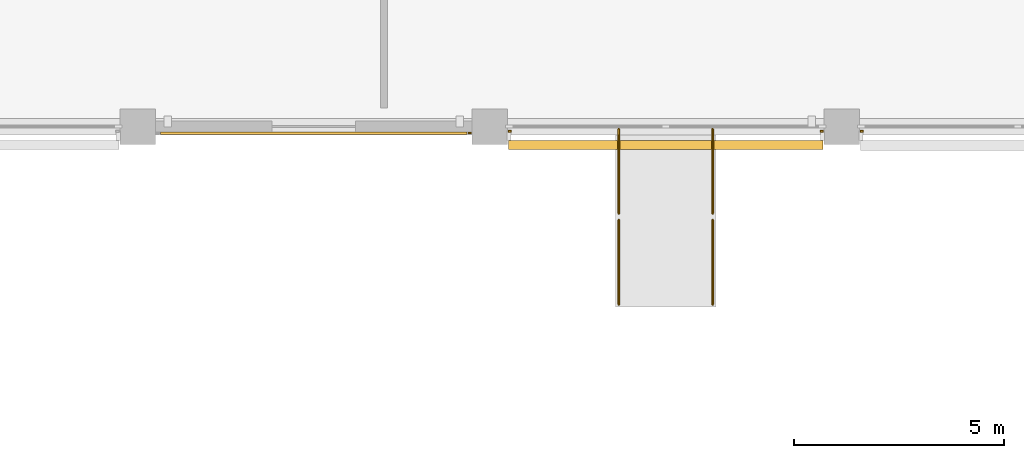
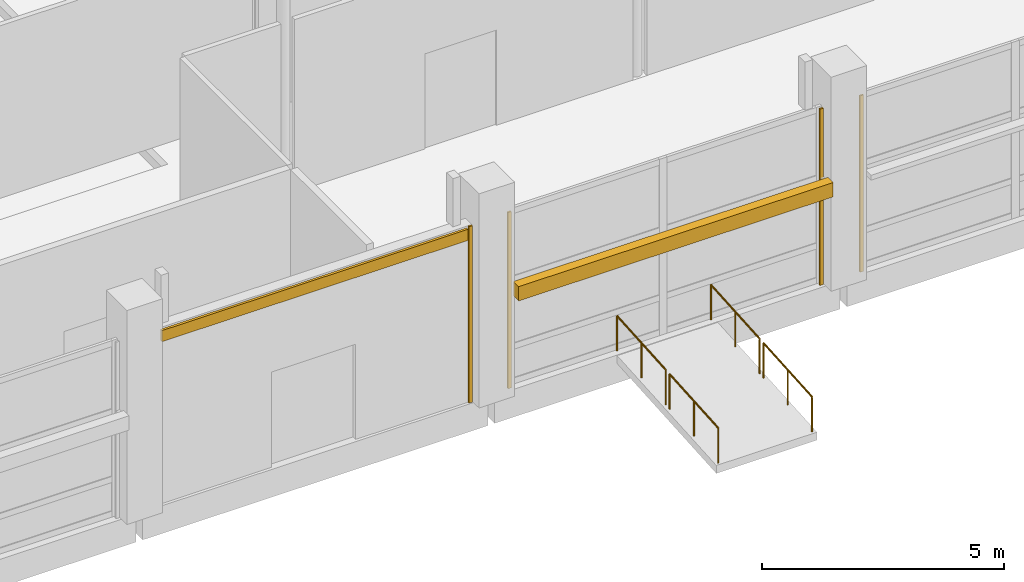
# One storey, part 134 of 140: 5 coverings, 4 railings, 1 shading device.
"""IFC4 building model written with IfcOpenShell, lengths in metres."""

from ifc_helpers import new_model, si_unit, direction, frame, origin, origin_2d, place, context, subcontext, project, spatial, rectangle, circle, extrude, material, layer, layer_set, type_object, element, save


model = new_model("IFC4")

# Units and contexts
model_context = context("Model", 3, precision=1e-05, world=origin(), true_north=direction((0.0, 1.0)))
body_context = subcontext(model_context, "Body", "Model", "MODEL_VIEW")
ifc_project = project(units=[si_unit("LENGTHUNIT", "METRE"), si_unit("AREAUNIT", "SQUARE_METRE"), si_unit("VOLUMEUNIT", "CUBIC_METRE"), si_unit("PLANEANGLEUNIT", "RADIAN"), si_unit("MASSUNIT", "GRAM", prefix="KILO")], contexts=[model_context])

# Site, building, storey
site_placement = place(None, origin())
site = spatial("IfcSite", under=ifc_project, at=site_placement, CompositionType="ELEMENT")
building_placement = place(site_placement, origin())
building = spatial("IfcBuilding", under=site, at=building_placement, Name="Telukmera Botanical Conservatory", CompositionType="ELEMENT")
storey_placement = place(building_placement, origin())
storey = spatial("IfcBuildingStorey", under=building, at=storey_placement, Name="L00", CompositionType="ELEMENT", Elevation=0.0)

# Railings
ifc_material_1 = material(Name="Brushed stainless steel grade 316", Category="steel")
railing_type = type_object("IfcRailingType", Name="Accessible Boulevard Ramp Tubular Handrail 900", PredefinedType="HANDRAIL", material=ifc_material_1)
railing_1_placement = place(storey_placement, frame((145.8798828125, 13.360107421875, -0.2958984375)))
element("IfcRailing", 1, at=railing_1_placement, inside=storey, type_object=railing_type, Name="Conservatory Boulevard Accessible Approach Ramp Handrail W-LO", PredefinedType="HANDRAIL", context=body_context, shape_type="SweptSolid", body=[
    extrude(circle(Radius=0.02099609375, at=origin_2d()), frame((0.0, 0.0, 0.87890625), z_axis=(0.0, 0.997570011495, 0.0696711717), x_axis=(-1.0, 0.0, 0.0)), (0.0, 0.0, 1.0), 2.014892578125),
    extrude(circle(Radius=0.01904296875, at=origin_2d()), origin(), (0.0, 0.0, 1.0), 0.85791015625),
    extrude(circle(Radius=0.01904296875, at=origin_2d()), frame((0.0, 1.0048828125, 0.0703125)), (0.0, 0.0, 1.0), 0.85791015625),
    extrude(circle(Radius=0.01904296875, at=origin_2d()), frame((0.0, 2.010009765625, 0.140380859375)), (0.0, 0.0, 1.0), 0.85791015625),
])
railing_2_placement = place(storey_placement, frame((145.8798828125, 15.530029296875, -0.144287109375)))
element("IfcRailing", 2, at=railing_2_placement, inside=storey, type_object=railing_type, Name="Conservatory Boulevard Accessible Approach Ramp Handrail W-HI", PredefinedType="HANDRAIL", context=body_context, shape_type="SweptSolid", body=[
    extrude(circle(Radius=0.02099609375, at=origin_2d()), frame((0.0, 0.0, 0.87890625), z_axis=(0.0, 0.997578425629, 0.069550591074), x_axis=(-1.0, 0.0, 0.0)), (0.0, 0.0, 1.0), 2.014892578125),
    extrude(circle(Radius=0.01904296875, at=origin_2d()), origin(), (0.0, 0.0, 1.0), 0.85791015625),
    extrude(circle(Radius=0.01904296875, at=origin_2d()), frame((0.0, 1.0048828125, 0.070068359375)), (0.0, 0.0, 1.0), 0.85791015625),
    extrude(circle(Radius=0.01904296875, at=origin_2d()), frame((0.0, 2.010009765625, 0.14013671875)), (0.0, 0.0, 1.0), 0.85791015625),
])
railing_3_placement = place(storey_placement, frame((148.1201171875, 13.360107421875, -0.2958984375)))
element("IfcRailing", 3, at=railing_3_placement, inside=storey, type_object=railing_type, Name="Conservatory Boulevard Accessible Approach Ramp Handrail E-LO", PredefinedType="HANDRAIL", context=body_context, shape_type="SweptSolid", body=[
    extrude(circle(Radius=0.02099609375, at=origin_2d()), frame((0.0, 0.0, 0.87890625), z_axis=(0.0, 0.997570011495, 0.0696711717), x_axis=(-1.0, 0.0, 0.0)), (0.0, 0.0, 1.0), 2.014892578125),
    extrude(circle(Radius=0.01904296875, at=origin_2d()), origin(), (0.0, 0.0, 1.0), 0.85791015625),
    extrude(circle(Radius=0.01904296875, at=origin_2d()), frame((0.0, 1.0048828125, 0.0703125)), (0.0, 0.0, 1.0), 0.85791015625),
    extrude(circle(Radius=0.01904296875, at=origin_2d()), frame((0.0, 2.010009765625, 0.140380859375)), (0.0, 0.0, 1.0), 0.85791015625),
])
railing_4_placement = place(storey_placement, frame((148.1201171875, 15.530029296875, -0.144287109375)))
element("IfcRailing", 4, at=railing_4_placement, inside=storey, type_object=railing_type, Name="Conservatory Boulevard Accessible Approach Ramp Handrail E-HI", PredefinedType="HANDRAIL", context=body_context, shape_type="SweptSolid", body=[
    extrude(circle(Radius=0.02099609375, at=origin_2d()), frame((0.0, 0.0, 0.87890625), z_axis=(0.0, 0.997578425629, 0.069550591074), x_axis=(-1.0, 0.0, 0.0)), (0.0, 0.0, 1.0), 2.014892578125),
    extrude(circle(Radius=0.01904296875, at=origin_2d()), origin(), (0.0, 0.0, 1.0), 0.85791015625),
    extrude(circle(Radius=0.01904296875, at=origin_2d()), frame((0.0, 1.0048828125, 0.070068359375)), (0.0, 0.0, 1.0), 0.85791015625),
    extrude(circle(Radius=0.01904296875, at=origin_2d()), frame((0.0, 2.010009765625, 0.14013671875)), (0.0, 0.0, 1.0), 0.85791015625),
])

# Coverings
ifc_material_2 = material(Name="Granite-faced precast concrete C40/50", Category="masonry")
ifc_layer_1 = layer(ifc_material_2, 0.0400390625)
ifc_layer_set_1 = layer_set([ifc_layer_1], Name="Granite-faced precast concrete C40/50")
covering_type_1 = type_object("IfcCoveringType", Name="Granite Precast Column Pier Reveal Casing", PredefinedType="CLADDING", material=ifc_layer_set_1)
for number, where, z_axis, x_axis, name in (
    (5, (142.322998046875, 17.449951171875, 0.0), (0.0, 0.0, 1.0), (1.0, 0.0, 0.0), "Granite Pier Reveal V1:L00:S3 R"),
    (6, (143.277099609375, 17.489990234375, 0.0), (0.0, 0.0, 1.0), (1.0, 0.0, 0.0), "Granite Pier Reveal V1:L00:S4 L"),
    (7, (150.722900390625, 17.489990234375, 0.0), (0.0, 0.0, 1.0), (1.0, 0.0, 0.0), "Granite Pier Reveal V1:L00:S4 R"),
    (8, (151.677001953125, 17.489990234375, 0.0), (0.0, 0.0, 1.0), (1.0, 0.0, 0.0), "Granite Pier Reveal V1:L00:S5 L"),
):
    element("IfcCovering", number, at=place(storey_placement, frame(where, z_axis=z_axis, x_axis=x_axis)), inside=storey, type_object=covering_type_1, Name=name, PredefinedType="CLADDING", context=body_context, shape_type="SweptSolid", body=[
        extrude(rectangle(XDim=0.080078125, YDim=0.0400390625, at=origin_2d()), origin(), (0.0, 0.0, 1.0), 4.449951171875),
    ])

# Shading device
ifc_material_3 = material(Name="Perforated terracotta-anodised aluminium 6063-T6", Category="masonry")
ifc_layer_2 = layer(ifc_material_3, 0.050048828125)
ifc_layer_set_2 = layer_set([ifc_layer_2], Name="Perforated terracotta-anodised aluminium 6063-T6")
shading_device_type = type_object("IfcShadingDeviceType", Name="Operable Monsoon Solar Louvre Shutter Bank", PredefinedType="SHUTTER", material=ifc_layer_set_2)
shading_device_placement = place(storey_placement, frame((147.0, 17.159912109375, 2.4697265625), z_axis=(0.0, 0.0, 1.0), x_axis=(1.0, 0.0, 0.0)))
element("IfcShadingDevice", 9, at=shading_device_placement, inside=storey, type_object=shading_device_type, Name="Monsoon Shading SH01 V1:L00:S4", PredefinedType="SHUTTER", context=body_context, shape_type="SweptSolid", body=[
    extrude(rectangle(XDim=7.506103515625, YDim=0.219970703125, at=origin_2d()), origin(), (0.0, 0.0, 1.0), 0.360107421875),
])

# Covering
ifc_material_4 = material(Name="Terracotta-faced precast concrete C40/50", Category="masonry")
ifc_layer_3 = layer(ifc_material_4, 0.06005859375)
ifc_layer_set_3 = layer_set([ifc_layer_3], Name="Terracotta-faced precast concrete C40/50")
covering_type_2 = type_object("IfcCoveringType", Name="Polychrome Terracotta Facade Band Cladding", PredefinedType="CLADDING", material=ifc_layer_set_3)
covering_placement = place(storey_placement, frame((138.60009765625, 17.43994140625, 4.1298828125), z_axis=(0.0, 0.0, 1.0), x_axis=(1.0, 0.0, 0.0)))
element("IfcCovering", 10, at=covering_placement, inside=storey, type_object=covering_type_2, Name="Polychrome Terracotta Band V1:L00:S3", PredefinedType="CLADDING", context=body_context, shape_type="SweptSolid", body=[
    extrude(rectangle(XDim=7.305908203125, YDim=0.06005859375, at=origin_2d()), origin(), (0.0, 0.0, 1.0), 0.280029296875),
])

save(model, "model.ifc")
